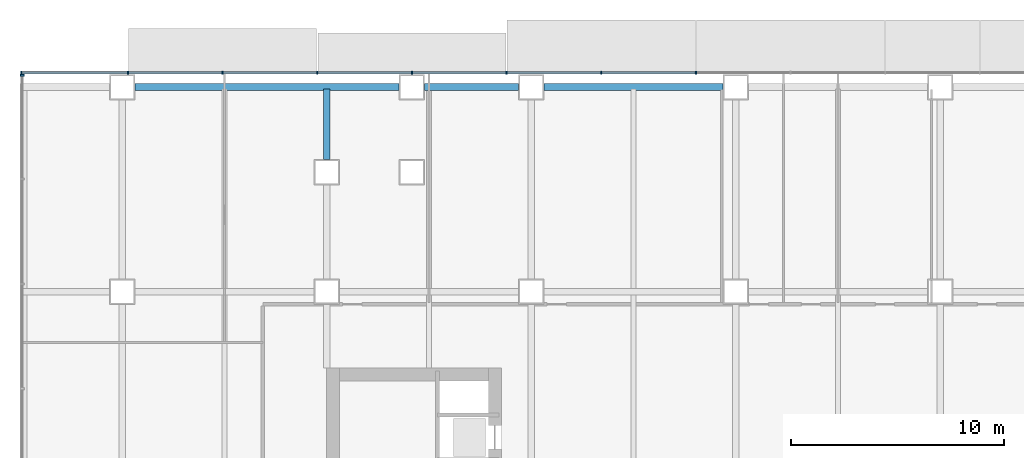
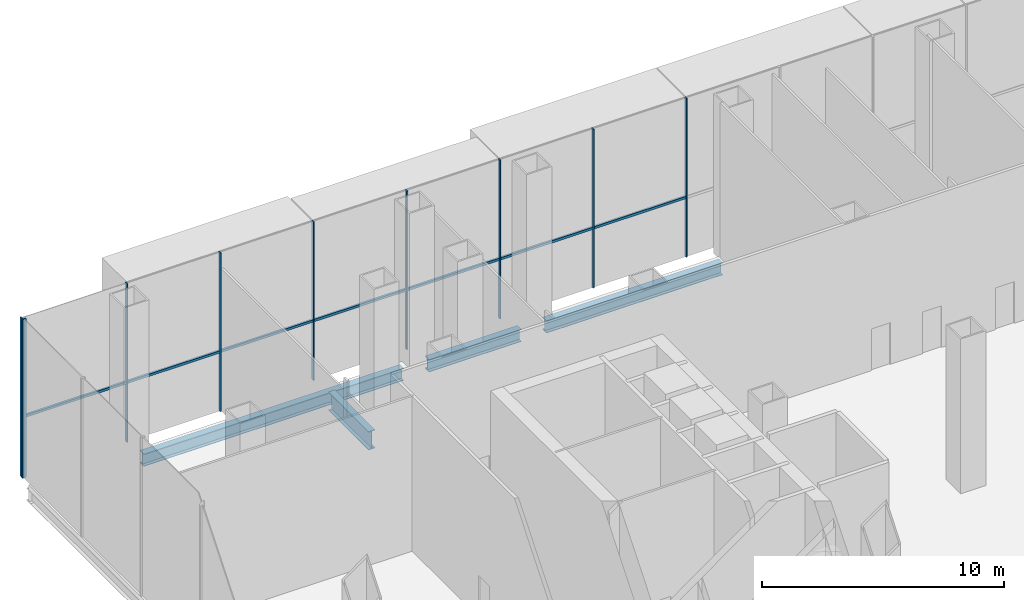
# One storey, part 8 of 24: 16 members, 4 beams, 2 elements without a shape of their own.
"""IFC4 building model written with IfcOpenShell, lengths in metres."""

from ifc_helpers import new_model, si_unit, direction, frame, origin, origin_2d, place, context, subcontext, project, spatial, rectangle, i_section, extrude, material, material_profile, profile_set, type_object, element, aggregate, save


model = new_model("IFC4")

# Units and contexts
model_context = context("Model", 3, precision=1e-05, world=origin(), true_north=direction((0.0, 1.0)))
body_context = subcontext(model_context, "Body", "Model", "MODEL_VIEW")
ifc_project = project(units=[si_unit("LENGTHUNIT", "METRE"), si_unit("AREAUNIT", "SQUARE_METRE"), si_unit("VOLUMEUNIT", "CUBIC_METRE"), si_unit("PLANEANGLEUNIT", "RADIAN"), si_unit("MASSUNIT", "GRAM", prefix="KILO")], contexts=[model_context])

# Site, building, storey
site_placement = place(None, origin())
site = spatial("IfcSite", under=ifc_project, at=site_placement, CompositionType="ELEMENT")
building_placement = place(site_placement, origin())
building = spatial("IfcBuilding", under=site, at=building_placement, Name="Cobrizo Arcos Hotel Tower", CompositionType="ELEMENT")
storey_placement = place(building_placement, frame((0.0, 0.0, 7.5)))
storey = spatial("IfcBuildingStorey", under=building, at=storey_placement, Name="L01", CompositionType="ELEMENT", Elevation=7.5)

# Curtain wall, members
ifc_material_1 = material(Name="Aluminium 6063-T6 anodised bronze", Category="aluminium")
curtain_wall_type_1 = type_object("IfcCurtainWallType", Name="CW-A guest facade", PredefinedType="NOTDEFINED", material=ifc_material_1)
curtain_wall_1_placement = place(storey_placement, origin())
curtain_wall_1 = element("IfcCurtainWall", 1, at=curtain_wall_1_placement, inside=storey, type_object=curtain_wall_type_1, Name="CW-A L01 N face", PredefinedType="NOTDEFINED")
ifc_material_profile_1 = material_profile(ifc_material_1, rectangle(XDim=0.14990234375, YDim=0.06005859375, at=origin_2d()), Name="CW-A mullion 150x60")
ifc_profile_set_1 = profile_set([ifc_material_profile_1], Name="Aluminium 6063-T6 anodised bronze")
member_type_1 = type_object("IfcMemberType", Name="CW-A mullion 150x60", PredefinedType="MULLION", material=ifc_profile_set_1)
member_1_placement = place(storey_placement, frame((-6.666748046875, 24.675048828125, 0.0), z_axis=(0.0, 0.0, 1.0), x_axis=(0.0, 1.0, 0.0)))
member_1 = element("IfcMember", 2, at=member_1_placement, type_object=member_type_1, Name="CW-A mullion 11", PredefinedType="MULLION", context=body_context, shape_type="SweptSolid", body=[
    extrude(rectangle(XDim=0.14990234375, YDim=0.06005859375, at=origin_2d()), origin(), (0.0, 0.0, 1.0), 8.0),
])
member_2_placement = place(storey_placement, frame((-11.111083984375, 24.675048828125, 0.0), z_axis=(0.0, 0.0, 1.0), x_axis=(0.0, 1.0, 0.0)))
member_2 = element("IfcMember", 3, at=member_2_placement, type_object=member_type_1, Name="CW-A mullion 12", PredefinedType="MULLION", context=body_context, shape_type="SweptSolid", body=[
    extrude(rectangle(XDim=0.14990234375, YDim=0.06005859375, at=origin_2d()), origin(), (0.0, 0.0, 1.0), 8.0),
])
member_3_placement = place(storey_placement, frame((-15.5556640625, 24.675048828125, 0.0), z_axis=(0.0, 0.0, 1.0), x_axis=(0.0, 1.0, 0.0)))
member_3 = element("IfcMember", 4, at=member_3_placement, type_object=member_type_1, Name="CW-A mullion 13", PredefinedType="MULLION", context=body_context, shape_type="SweptSolid", body=[
    extrude(rectangle(XDim=0.14990234375, YDim=0.06005859375, at=origin_2d()), origin(), (0.0, 0.0, 1.0), 8.0),
])
member_4_placement = place(storey_placement, frame((-20.0, 24.675048828125, 0.0), z_axis=(0.0, 0.0, 1.0), x_axis=(0.0, 1.0, 0.0)))
member_4 = element("IfcMember", 5, at=member_4_placement, type_object=member_type_1, Name="CW-A mullion 14", PredefinedType="MULLION", context=body_context, shape_type="SweptSolid", body=[
    extrude(rectangle(XDim=0.14990234375, YDim=0.06005859375, at=origin_2d()), origin(), (0.0, 0.0, 1.0), 8.0),
])
member_5_placement = place(storey_placement, frame((-24.4443359375, 24.675048828125, 0.0), z_axis=(0.0, 0.0, 1.0), x_axis=(0.0, 1.0, 0.0)))
member_5 = element("IfcMember", 6, at=member_5_placement, type_object=member_type_1, Name="CW-A mullion 15", PredefinedType="MULLION", context=body_context, shape_type="SweptSolid", body=[
    extrude(rectangle(XDim=0.14990234375, YDim=0.06005859375, at=origin_2d()), origin(), (0.0, 0.0, 1.0), 8.0),
])
member_6_placement = place(storey_placement, frame((-28.888916015625, 24.675048828125, 0.0), z_axis=(0.0, 0.0, 1.0), x_axis=(0.0, 1.0, 0.0)))
member_6 = element("IfcMember", 7, at=member_6_placement, type_object=member_type_1, Name="CW-A mullion 16", PredefinedType="MULLION", context=body_context, shape_type="SweptSolid", body=[
    extrude(rectangle(XDim=0.14990234375, YDim=0.06005859375, at=origin_2d()), origin(), (0.0, 0.0, 1.0), 8.0),
])
member_7_placement = place(storey_placement, frame((-33.333251953125, 24.675048828125, 0.0), z_axis=(0.0, 0.0, 1.0), x_axis=(0.0, 1.0, 0.0)))
member_7 = element("IfcMember", 8, at=member_7_placement, type_object=member_type_1, Name="CW-A mullion 17", PredefinedType="MULLION", context=body_context, shape_type="SweptSolid", body=[
    extrude(rectangle(XDim=0.14990234375, YDim=0.06005859375, at=origin_2d()), origin(), (0.0, 0.0, 1.0), 8.0),
])
member_8_placement = place(storey_placement, frame((-38.344970703125, 24.675048828125, 0.0), z_axis=(0.0, 0.0, 1.0), x_axis=(0.0, 1.0, 0.0)))
member_8 = element("IfcMember", 9, at=member_8_placement, type_object=member_type_1, Name="CW-A mullion 18", PredefinedType="MULLION", context=body_context, shape_type="SweptSolid", body=[
    extrude(rectangle(XDim=0.14990234375, YDim=0.06005859375, at=origin_2d()), origin(), (0.0, 0.0, 1.0), 8.0),
])
ifc_material_profile_2 = material_profile(ifc_material_1, rectangle(XDim=0.10009765625, YDim=0.1201171875, at=origin_2d()), Name="CW-A transom 120x100")
ifc_profile_set_2 = profile_set([ifc_material_profile_2], Name="Aluminium 6063-T6 anodised bronze")
member_type_2 = type_object("IfcMemberType", Name="CW-A transom 120x100", PredefinedType="USERDEFINED", material=ifc_profile_set_2)
member_9_placement = place(storey_placement, frame((-6.69677734375, 24.675048828125, 3.0), z_axis=(-1.0, 0.0, 0.0), x_axis=(0.0, -1.0, 0.0)))
member_9 = element("IfcMember", 10, at=member_9_placement, type_object=member_type_2, Name="CW-A transom 73", ObjectType="TRANSOM", PredefinedType="USERDEFINED", context=body_context, shape_type="SweptSolid", body=[
    extrude(rectangle(XDim=0.10009765625, YDim=0.1201171875, at=origin_2d()), origin(), (0.0, 0.0, 1.0), 4.38427734375),
])
member_10_placement = place(storey_placement, frame((-11.14111328125, 24.675048828125, 3.0), z_axis=(-1.0, 0.0, 0.0), x_axis=(0.0, -1.0, 0.0)))
member_10 = element("IfcMember", 11, at=member_10_placement, type_object=member_type_2, Name="CW-A transom 74", ObjectType="TRANSOM", PredefinedType="USERDEFINED", context=body_context, shape_type="SweptSolid", body=[
    extrude(rectangle(XDim=0.10009765625, YDim=0.1201171875, at=origin_2d()), origin(), (0.0, 0.0, 1.0), 4.384521484375),
])
member_11_placement = place(storey_placement, frame((-15.58544921875, 24.675048828125, 3.0), z_axis=(-1.0, 0.0, 0.0), x_axis=(0.0, -1.0, 0.0)))
member_11 = element("IfcMember", 12, at=member_11_placement, type_object=member_type_2, Name="CW-A transom 75", ObjectType="TRANSOM", PredefinedType="USERDEFINED", context=body_context, shape_type="SweptSolid", body=[
    extrude(rectangle(XDim=0.10009765625, YDim=0.1201171875, at=origin_2d()), origin(), (0.0, 0.0, 1.0), 4.384521484375),
])
member_12_placement = place(storey_placement, frame((-20.030029296875, 24.675048828125, 3.0), z_axis=(-1.0, 0.0, 0.0), x_axis=(0.0, -1.0, 0.0)))
member_12 = element("IfcMember", 13, at=member_12_placement, type_object=member_type_2, Name="CW-A transom 76", ObjectType="TRANSOM", PredefinedType="USERDEFINED", context=body_context, shape_type="SweptSolid", body=[
    extrude(rectangle(XDim=0.10009765625, YDim=0.1201171875, at=origin_2d()), origin(), (0.0, 0.0, 1.0), 4.384521484375),
])
member_13_placement = place(storey_placement, frame((-24.474365234375, 24.675048828125, 3.0), z_axis=(-1.0, 0.0, 0.0), x_axis=(0.0, -1.0, 0.0)))
member_13 = element("IfcMember", 14, at=member_13_placement, type_object=member_type_2, Name="CW-A transom 77", ObjectType="TRANSOM", PredefinedType="USERDEFINED", context=body_context, shape_type="SweptSolid", body=[
    extrude(rectangle(XDim=0.10009765625, YDim=0.1201171875, at=origin_2d()), origin(), (0.0, 0.0, 1.0), 4.384521484375),
])
member_14_placement = place(storey_placement, frame((-28.9189453125, 24.675048828125, 3.0), z_axis=(-1.0, 0.0, 0.0), x_axis=(0.0, -1.0, 0.0)))
member_14 = element("IfcMember", 15, at=member_14_placement, type_object=member_type_2, Name="CW-A transom 78", ObjectType="TRANSOM", PredefinedType="USERDEFINED", context=body_context, shape_type="SweptSolid", body=[
    extrude(rectangle(XDim=0.10009765625, YDim=0.1201171875, at=origin_2d()), origin(), (0.0, 0.0, 1.0), 4.38427734375),
])
member_15_placement = place(storey_placement, frame((-33.36328125, 24.675048828125, 3.0), z_axis=(-1.0, 0.0, 0.0), x_axis=(0.0, -1.0, 0.0)))
member_15 = element("IfcMember", 16, at=member_15_placement, type_object=member_type_2, Name="CW-A transom 79", ObjectType="TRANSOM", PredefinedType="USERDEFINED", context=body_context, shape_type="SweptSolid", body=[
    extrude(rectangle(XDim=0.10009765625, YDim=0.1201171875, at=origin_2d()), origin(), (0.0, 0.0, 1.0), 4.95166015625),
])
aggregate(curtain_wall_1, [member_1, member_2, member_3, member_4, member_5, member_6, member_7, member_8, member_9, member_10, member_11, member_12, member_13, member_14, member_15])

# Curtain wall, member
curtain_wall_type_2 = type_object("IfcCurtainWallType", Name="CW-B podium glazing", PredefinedType="NOTDEFINED", material=ifc_material_1)
curtain_wall_2_placement = place(storey_placement, origin())
curtain_wall_2 = element("IfcCurtainWall", 17, at=curtain_wall_2_placement, inside=storey, type_object=curtain_wall_type_2, Name="CW-B L01 W face", PredefinedType="NOTDEFINED")
ifc_material_profile_3 = material_profile(ifc_material_1, rectangle(XDim=0.199951171875, YDim=0.080078125, at=origin_2d()), Name="CW-B mullion 200x80")
ifc_profile_set_3 = profile_set([ifc_material_profile_3], Name="Aluminium 6063-T6 anodised bronze")
member_type_3 = type_object("IfcMemberType", Name="CW-B mullion 200x80", PredefinedType="MULLION", material=ifc_profile_set_3)
member_16_placement = place(storey_placement, frame((-38.300048828125, 24.56005859375, 0.0), z_axis=(0.0, 0.0, 1.0), x_axis=(-1.0, 0.0, 0.0)))
member_16 = element("IfcMember", 18, at=member_16_placement, type_object=member_type_3, Name="CW-B mullion 1", PredefinedType="MULLION", context=body_context, shape_type="SweptSolid", body=[
    extrude(rectangle(XDim=0.199951171875, YDim=0.080078125, at=origin_2d()), origin(), (0.0, 0.0, 1.0), 8.0),
])
aggregate(curtain_wall_2, [member_16])

# Beams
ifc_material_2 = material(Name="Steel ASTM A992 Grade 50", Category="steel")
ifc_material_profile_4 = material_profile(ifc_material_2, i_section(OverallWidth=0.32763671875, OverallDepth=0.622314453125, WebThickness=0.015380859375, FlangeThickness=0.0244140625, at=origin_2d()), Name="W24X131")
ifc_profile_set_4 = profile_set([ifc_material_profile_4], Name="Steel ASTM A992 Grade 50")
beam_type_1 = type_object("IfcBeamType", Name="W24X131 spandrel", PredefinedType="SPANDREL", material=ifc_profile_set_4)
beam_1_placement = place(storey_placement, frame((-5.39990234375, 24.0, -0.56103515625), z_axis=(-1.0, 0.0, 0.0), x_axis=(0.0, -1.0, 0.0)))
element("IfcBeam", 19, at=beam_1_placement, inside=storey, type_object=beam_type_1, Name="Spandrel beam W24X131, L01, no. 005", PredefinedType="SPANDREL", context=body_context, shape_type="SweptSolid", body=[
    extrude(i_section(OverallWidth=0.32763671875, OverallDepth=0.622314453125, WebThickness=0.015380859375, FlangeThickness=0.0244140625, at=origin_2d()), origin(), (0.0, 0.0, 1.0), 8.400146484375),
])
beam_2_placement = place(storey_placement, frame((-15.0, 24.0, -0.56103515625), z_axis=(-1.0, 0.0, 0.0), x_axis=(0.0, -1.0, 0.0)))
element("IfcBeam", 20, at=beam_2_placement, inside=storey, type_object=beam_type_1, Name="Spandrel beam W24X131, L01, no. 006", PredefinedType="SPANDREL", context=body_context, shape_type="SweptSolid", body=[
    extrude(i_section(OverallWidth=0.32763671875, OverallDepth=0.622314453125, WebThickness=0.015380859375, FlangeThickness=0.0244140625, at=origin_2d()), origin(), (0.0, 0.0, 1.0), 4.39990234375),
])
beam_3_placement = place(storey_placement, frame((-20.60009765625, 24.0, -0.56103515625), z_axis=(-1.0, 0.0, 0.0), x_axis=(0.0, -1.0, 0.0)))
element("IfcBeam", 21, at=beam_3_placement, inside=storey, type_object=beam_type_1, Name="Spandrel beam W24X131, L01, no. 007", PredefinedType="SPANDREL", context=body_context, shape_type="SweptSolid", body=[
    extrude(i_section(OverallWidth=0.32763671875, OverallDepth=0.622314453125, WebThickness=0.015380859375, FlangeThickness=0.0244140625, at=origin_2d()), origin(), (0.0, 0.0, 1.0), 12.39990234375),
])
ifc_material_profile_5 = material_profile(ifc_material_2, i_section(OverallWidth=0.307373046875, OverallDepth=0.927001953125, WebThickness=0.01953125, FlangeThickness=0.031982421875, at=origin_2d()), Name="W36X194")
ifc_profile_set_5 = profile_set([ifc_material_profile_5], Name="Steel ASTM A992 Grade 50")
beam_type_2 = type_object("IfcBeamType", Name="W36X194 podium girder", PredefinedType="BEAM", material=ifc_profile_set_5)
beam_4_placement = place(storey_placement, frame((-24.0, 20.60009765625, -0.71337890625), z_axis=(0.0, 1.0, 0.0), x_axis=(-1.0, 0.0, 0.0)))
element("IfcBeam", 22, at=beam_4_placement, inside=storey, type_object=beam_type_2, Name="Podium girder PG1, L01, no. 045", PredefinedType="BEAM", context=body_context, shape_type="SweptSolid", body=[
    extrude(i_section(OverallWidth=0.307373046875, OverallDepth=0.927001953125, WebThickness=0.01953125, FlangeThickness=0.031982421875, at=origin_2d()), origin(), (0.0, 0.0, 1.0), 3.309814453125),
])

save(model, "model.ifc")
